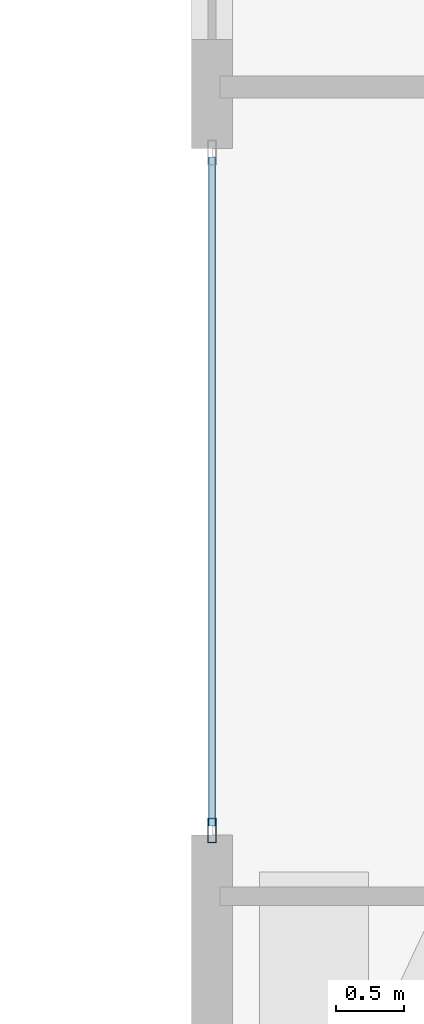
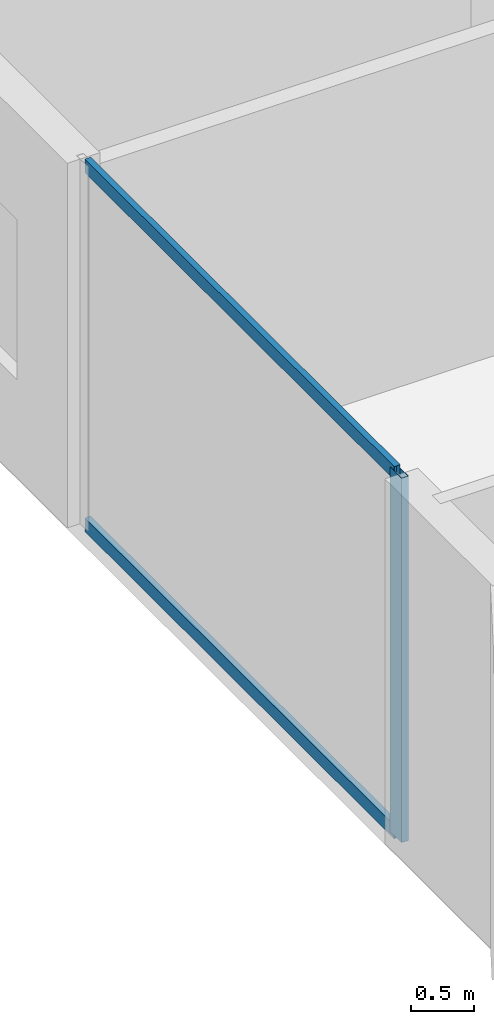
# One storey, part 7 of 32: 3 members, 1 element without a shape of its own.
"""IFC4 building model written with IfcOpenShell, lengths in metres."""

from ifc_helpers import new_model, si_unit, direction, frame, origin, origin_2d, place, context, subcontext, project, spatial, hollow_rectangle, extrude, material, layer, layer_set, material_profile, profile_set, type_object, element, aggregate, save


model = new_model("IFC4")

# Units and contexts
model_context = context("Model", 3, precision=1e-05, world=origin(), true_north=direction((0.0, 1.0)))
body_context = subcontext(model_context, "Body", "Model", "MODEL_VIEW")
ifc_project = project(units=[si_unit("LENGTHUNIT", "METRE"), si_unit("AREAUNIT", "SQUARE_METRE"), si_unit("VOLUMEUNIT", "CUBIC_METRE"), si_unit("PLANEANGLEUNIT", "RADIAN"), si_unit("MASSUNIT", "GRAM", prefix="KILO")], contexts=[model_context])

# Site, building, storey
site_placement = place(None, origin())
site = spatial("IfcSite", under=ifc_project, at=site_placement, CompositionType="ELEMENT")
building_placement = place(site_placement, origin())
building = spatial("IfcBuilding", under=site, at=building_placement, Name="Zuhayl Quay Hotel", CompositionType="ELEMENT")
storey_placement = place(building_placement, frame((0.0, 0.0, 226.14990234375)))
storey = spatial("IfcBuildingStorey", under=building, at=storey_placement, Name="L57", CompositionType="ELEMENT", Elevation=226.14990234375)

# Curtain wall, members
ifc_material_1 = material(Name="Anodised Aluminium 6063-T6", Category="aluminium")
ifc_layer = layer(ifc_material_1, 0.175048828125, Name="Anodised Aluminium 6063-T6", Category="aluminium")
ifc_layer_set = layer_set([ifc_layer], Name="Anodised Aluminium 6063-T6")
curtain_wall_type = type_object("IfcCurtainWallType", Name="CW_SYS_Z3", PredefinedType="USERDEFINED", material=ifc_layer_set)
curtain_wall_placement = place(storey_placement, origin())
curtain_wall = element("IfcCurtainWall", 1, at=curtain_wall_placement, inside=storey, type_object=curtain_wall_type, Name="L57 Curtain Wall ENV_L57_E05_CW1", ObjectType="UNITISED CURTAIN WALL", PredefinedType="USERDEFINED")
ifc_material_2 = material(Name="Black-anodised aluminium 6063-T6", Category="aluminium")
ifc_material_profile_1 = material_profile(ifc_material_2, hollow_rectangle(XDim=0.06494140625, YDim=0.179931640625, WallThickness=0.00341796875, at=origin_2d()), Name="ALU180X65")
ifc_profile_set_1 = profile_set([ifc_material_profile_1], Name="Black-anodised aluminium 6063-T6")
member_type_1 = type_object("IfcMemberType", Name="MB_CW_MUL_180", PredefinedType="MULLION", material=ifc_profile_set_1)
member_1_placement = place(storey_placement, frame((-22.10009765625, 19.54248046875, 0.0), z_axis=(0.0, 0.0, 1.0), x_axis=(-1.0, 0.0, 0.0)))
member_1 = element("IfcMember", 2, at=member_1_placement, type_object=member_type_1, Name="CW-Z3 mullion 1", PredefinedType="MULLION", context=body_context, shape_type="SweptSolid", body=[
    extrude(hollow_rectangle(XDim=0.06494140625, YDim=0.179931640625, WallThickness=0.00341796875, at=origin_2d()), origin(), (0.0, 0.0, 1.0), 3.530029296875),
])
ifc_material_profile_2 = material_profile(ifc_material_2, hollow_rectangle(XDim=0.054931640625, YDim=0.1298828125, WallThickness=0.0029296875, at=origin_2d()), Name="ALU130X55")
ifc_profile_set_2 = profile_set([ifc_material_profile_2], Name="Black-anodised aluminium 6063-T6")
member_type_2 = type_object("IfcMemberType", Name="MB_CW_TRN_130", PredefinedType="USERDEFINED", material=ifc_profile_set_2)
member_2_placement = place(storey_placement, frame((-22.10009765625, 19.574951171875, 0.027587890625), z_axis=(0.0, 1.0, 0.0), x_axis=(-1.0, 0.0, 0.0)))
member_2 = element("IfcMember", 3, at=member_2_placement, type_object=member_type_2, Name="CW-Z3 transom 1.1", ObjectType="TRANSOM", PredefinedType="USERDEFINED", context=body_context, shape_type="SweptSolid", body=[
    extrude(hollow_rectangle(XDim=0.054931640625, YDim=0.1298828125, WallThickness=0.0029296875, at=origin_2d()), origin(), (0.0, 0.0, 1.0), 4.91015625),
])
member_3_placement = place(storey_placement, frame((-22.10009765625, 19.574951171875, 3.502685546875), z_axis=(0.0, 1.0, 0.0), x_axis=(-1.0, 0.0, 0.0)))
member_3 = element("IfcMember", 4, at=member_3_placement, type_object=member_type_2, Name="CW-Z3 transom 1.2", ObjectType="TRANSOM", PredefinedType="USERDEFINED", context=body_context, shape_type="SweptSolid", body=[
    extrude(hollow_rectangle(XDim=0.054931640625, YDim=0.1298828125, WallThickness=0.0029296875, at=origin_2d()), origin(), (0.0, 0.0, 1.0), 4.91015625),
])
aggregate(curtain_wall, [member_1, member_2, member_3])

save(model, "model.ifc")
